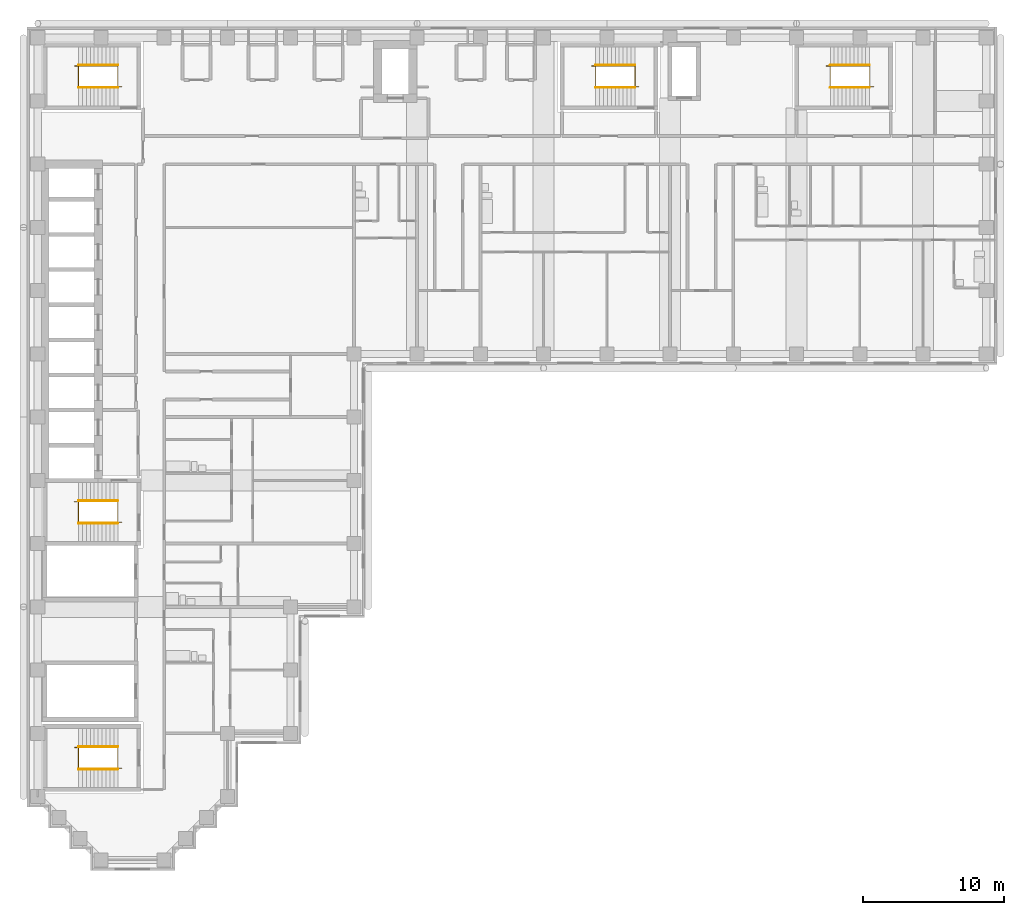
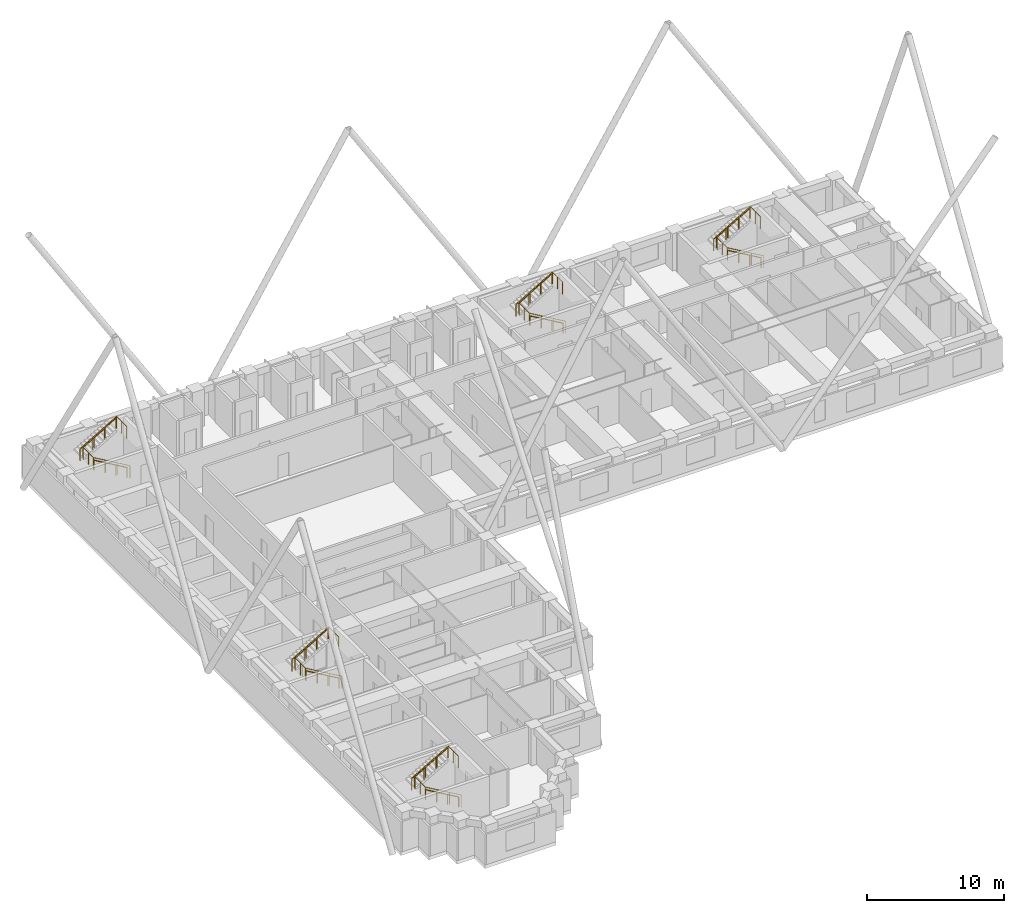
# One storey, part 12 of 13: 15 railings.
"""IFC4 building model written with IfcOpenShell, lengths in metres."""

from ifc_helpers import new_model, si_unit, direction, frame, origin, origin_2d, place, context, subcontext, project, spatial, circle, extrude, material, type_object, element, save


model = new_model("IFC4")

# Units and contexts
model_context = context("Model", 3, precision=1e-05, world=origin(), true_north=direction((0.0, 1.0)))
body_context = subcontext(model_context, "Body", "Model", "MODEL_VIEW")
ifc_project = project(units=[si_unit("LENGTHUNIT", "METRE"), si_unit("AREAUNIT", "SQUARE_METRE"), si_unit("VOLUMEUNIT", "CUBIC_METRE"), si_unit("PLANEANGLEUNIT", "RADIAN"), si_unit("MASSUNIT", "GRAM", prefix="KILO")], contexts=[model_context])

# Site, building, storey
site_placement = place(None, origin())
site = spatial("IfcSite", under=ifc_project, at=site_placement, CompositionType="ELEMENT")
building_placement = place(site_placement, origin())
building = spatial("IfcBuilding", under=site, at=building_placement, Name="Firuza Court", CompositionType="ELEMENT")
storey_placement = place(building_placement, frame((0.0, 0.0, 141.199951171875)))
storey = spatial("IfcBuildingStorey", under=building, at=storey_placement, Name="L35", CompositionType="ELEMENT", Elevation=141.199951171875)

# Railings
ifc_material_1 = material(Name="Steel S355", Category="steel")
railing_type_1 = type_object("IfcRailingType", Name="Handrail 900", PredefinedType="HANDRAIL", material=ifc_material_1)
railing_1_placement = place(storey_placement, frame((42.5, 54.949951171875, 0.16357421875)))
element("IfcRailing", 1, at=railing_1_placement, inside=storey, type_object=railing_type_1, Name="Handrail S1 flight 1", PredefinedType="HANDRAIL", context=body_context, shape_type="SweptSolid", body=[
    extrude(circle(Radius=0.02490234375, at=origin_2d()), frame((0.0, 0.0, 0.875), z_axis=(-0.863360870873, 0.0, 0.504586966384), x_axis=(0.0, -1.0, 0.0)), (0.0, 0.0, 1.0), 3.2431640625),
    extrude(circle(Radius=0.02001953125, at=origin_2d()), origin(), (0.0, 0.0, 1.0), 0.849853515625),
    extrude(circle(Radius=0.02001953125, at=origin_2d()), frame((-0.933349609375, 0.0, 0.54541015625)), (0.0, 0.0, 1.0), 0.849853515625),
    extrude(circle(Radius=0.02001953125, at=origin_2d()), frame((-1.86669921875, 0.0, 1.091064453125)), (0.0, 0.0, 1.0), 0.849853515625),
    extrude(circle(Radius=0.02001953125, at=origin_2d()), frame((-2.800048828125, 0.0, 1.636474609375)), (0.0, 0.0, 1.0), 0.849853515625),
])
railing_2_placement = place(storey_placement, frame((39.699951171875, 56.550048828125, 1.963623046875)))
element("IfcRailing", 2, at=railing_2_placement, inside=storey, type_object=railing_type_1, Name="Handrail S1 flight 2", PredefinedType="HANDRAIL", context=body_context, shape_type="SweptSolid", body=[
    extrude(circle(Radius=0.02490234375, at=origin_2d()), frame((0.0, 0.0, 0.875), z_axis=(0.863360870873, 0.0, 0.504586966384), x_axis=(0.0, 1.0, 0.0)), (0.0, 0.0, 1.0), 3.2431640625),
    extrude(circle(Radius=0.02001953125, at=origin_2d()), origin(), (0.0, 0.0, 1.0), 0.849853515625),
    extrude(circle(Radius=0.02001953125, at=origin_2d()), frame((0.933349609375, 0.0, 0.54541015625)), (0.0, 0.0, 1.0), 0.849853515625),
    extrude(circle(Radius=0.02001953125, at=origin_2d()), frame((1.86669921875, 0.0, 1.091064453125)), (0.0, 0.0, 1.0), 0.849853515625),
    extrude(circle(Radius=0.02001953125, at=origin_2d()), frame((2.800048828125, 0.0, 1.636474609375)), (0.0, 0.0, 1.0), 0.849853515625),
])
railing_3_placement = place(storey_placement, frame((5.699951171875, 23.949951171875, 0.16357421875)))
element("IfcRailing", 3, at=railing_3_placement, inside=storey, type_object=railing_type_1, Name="Handrail S2 flight 1", PredefinedType="HANDRAIL", context=body_context, shape_type="SweptSolid", body=[
    extrude(circle(Radius=0.02490234375, at=origin_2d()), frame((0.0, 0.0, 0.875), z_axis=(-0.863360870873, 0.0, 0.504586966384), x_axis=(0.0, -1.0, 0.0)), (0.0, 0.0, 1.0), 3.2431640625),
    extrude(circle(Radius=0.02001953125, at=origin_2d()), origin(), (0.0, 0.0, 1.0), 0.849853515625),
    extrude(circle(Radius=0.02001953125, at=origin_2d()), frame((-0.933349609375, 0.0, 0.54541015625)), (0.0, 0.0, 1.0), 0.849853515625),
    extrude(circle(Radius=0.02001953125, at=origin_2d()), frame((-1.86669921875, 0.0, 1.091064453125)), (0.0, 0.0, 1.0), 0.849853515625),
    extrude(circle(Radius=0.02001953125, at=origin_2d()), frame((-2.800048828125, 0.0, 1.636474609375)), (0.0, 0.0, 1.0), 0.849853515625),
])
railing_4_placement = place(storey_placement, frame((2.89990234375, 25.550048828125, 1.963623046875)))
element("IfcRailing", 4, at=railing_4_placement, inside=storey, type_object=railing_type_1, Name="Handrail S2 flight 2", PredefinedType="HANDRAIL", context=body_context, shape_type="SweptSolid", body=[
    extrude(circle(Radius=0.02490234375, at=origin_2d()), frame((0.0, 0.0, 0.875), z_axis=(0.863360870873, 0.0, 0.504586966384), x_axis=(0.0, 1.0, 0.0)), (0.0, 0.0, 1.0), 3.2431640625),
    extrude(circle(Radius=0.02001953125, at=origin_2d()), origin(), (0.0, 0.0, 1.0), 0.849853515625),
    extrude(circle(Radius=0.02001953125, at=origin_2d()), frame((0.933349609375, 0.0, 0.54541015625)), (0.0, 0.0, 1.0), 0.849853515625),
    extrude(circle(Radius=0.02001953125, at=origin_2d()), frame((1.86669921875, 0.0, 1.091064453125)), (0.0, 0.0, 1.0), 0.849853515625),
    extrude(circle(Radius=0.02001953125, at=origin_2d()), frame((2.800048828125, 0.0, 1.636474609375)), (0.0, 0.0, 1.0), 0.849853515625),
])
railing_5_placement = place(storey_placement, frame((5.699951171875, 54.949951171875, 0.16357421875)))
element("IfcRailing", 5, at=railing_5_placement, inside=storey, type_object=railing_type_1, Name="Handrail S3 flight 1", PredefinedType="HANDRAIL", context=body_context, shape_type="SweptSolid", body=[
    extrude(circle(Radius=0.02490234375, at=origin_2d()), frame((0.0, 0.0, 0.875), z_axis=(-0.863360870873, 0.0, 0.504586966384), x_axis=(0.0, -1.0, 0.0)), (0.0, 0.0, 1.0), 3.2431640625),
    extrude(circle(Radius=0.02001953125, at=origin_2d()), origin(), (0.0, 0.0, 1.0), 0.849853515625),
    extrude(circle(Radius=0.02001953125, at=origin_2d()), frame((-0.933349609375, 0.0, 0.54541015625)), (0.0, 0.0, 1.0), 0.849853515625),
    extrude(circle(Radius=0.02001953125, at=origin_2d()), frame((-1.86669921875, 0.0, 1.091064453125)), (0.0, 0.0, 1.0), 0.849853515625),
    extrude(circle(Radius=0.02001953125, at=origin_2d()), frame((-2.800048828125, 0.0, 1.636474609375)), (0.0, 0.0, 1.0), 0.849853515625),
])
railing_6_placement = place(storey_placement, frame((2.89990234375, 56.550048828125, 1.963623046875)))
element("IfcRailing", 6, at=railing_6_placement, inside=storey, type_object=railing_type_1, Name="Handrail S3 flight 2", PredefinedType="HANDRAIL", context=body_context, shape_type="SweptSolid", body=[
    extrude(circle(Radius=0.02490234375, at=origin_2d()), frame((0.0, 0.0, 0.875), z_axis=(0.863360870873, 0.0, 0.504586966384), x_axis=(0.0, 1.0, 0.0)), (0.0, 0.0, 1.0), 3.2431640625),
    extrude(circle(Radius=0.02001953125, at=origin_2d()), origin(), (0.0, 0.0, 1.0), 0.849853515625),
    extrude(circle(Radius=0.02001953125, at=origin_2d()), frame((0.933349609375, 0.0, 0.54541015625)), (0.0, 0.0, 1.0), 0.849853515625),
    extrude(circle(Radius=0.02001953125, at=origin_2d()), frame((1.86669921875, 0.0, 1.091064453125)), (0.0, 0.0, 1.0), 0.849853515625),
    extrude(circle(Radius=0.02001953125, at=origin_2d()), frame((2.800048828125, 0.0, 1.636474609375)), (0.0, 0.0, 1.0), 0.849853515625),
])
railing_7_placement = place(storey_placement, frame((59.199951171875, 54.949951171875, 0.16357421875)))
element("IfcRailing", 7, at=railing_7_placement, inside=storey, type_object=railing_type_1, Name="Handrail S4 flight 1", PredefinedType="HANDRAIL", context=body_context, shape_type="SweptSolid", body=[
    extrude(circle(Radius=0.02490234375, at=origin_2d()), frame((0.0, 0.0, 0.875), z_axis=(-0.863360870873, 0.0, 0.504586966384), x_axis=(0.0, -1.0, 0.0)), (0.0, 0.0, 1.0), 3.2431640625),
    extrude(circle(Radius=0.02001953125, at=origin_2d()), origin(), (0.0, 0.0, 1.0), 0.849853515625),
    extrude(circle(Radius=0.02001953125, at=origin_2d()), frame((-0.933349609375, 0.0, 0.54541015625)), (0.0, 0.0, 1.0), 0.849853515625),
    extrude(circle(Radius=0.02001953125, at=origin_2d()), frame((-1.86669921875, 0.0, 1.091064453125)), (0.0, 0.0, 1.0), 0.849853515625),
    extrude(circle(Radius=0.02001953125, at=origin_2d()), frame((-2.800048828125, 0.0, 1.636474609375)), (0.0, 0.0, 1.0), 0.849853515625),
])
railing_8_placement = place(storey_placement, frame((56.39990234375, 56.550048828125, 1.963623046875)))
element("IfcRailing", 8, at=railing_8_placement, inside=storey, type_object=railing_type_1, Name="Handrail S4 flight 2", PredefinedType="HANDRAIL", context=body_context, shape_type="SweptSolid", body=[
    extrude(circle(Radius=0.02490234375, at=origin_2d()), frame((0.0, 0.0, 0.875), z_axis=(0.863360870873, 0.0, 0.504586966384), x_axis=(0.0, 1.0, 0.0)), (0.0, 0.0, 1.0), 3.2431640625),
    extrude(circle(Radius=0.02001953125, at=origin_2d()), origin(), (0.0, 0.0, 1.0), 0.849853515625),
    extrude(circle(Radius=0.02001953125, at=origin_2d()), frame((0.933349609375, 0.0, 0.54541015625)), (0.0, 0.0, 1.0), 0.849853515625),
    extrude(circle(Radius=0.02001953125, at=origin_2d()), frame((1.86669921875, 0.0, 1.091064453125)), (0.0, 0.0, 1.0), 0.849853515625),
    extrude(circle(Radius=0.02001953125, at=origin_2d()), frame((2.800048828125, 0.0, 1.636474609375)), (0.0, 0.0, 1.0), 0.849853515625),
])
railing_9_placement = place(storey_placement, frame((5.699951171875, 6.449951171875, 0.16357421875)))
element("IfcRailing", 9, at=railing_9_placement, inside=storey, type_object=railing_type_1, Name="Handrail S5 flight 1", PredefinedType="HANDRAIL", context=body_context, shape_type="SweptSolid", body=[
    extrude(circle(Radius=0.02490234375, at=origin_2d()), frame((0.0, 0.0, 0.875), z_axis=(-0.863360870873, 0.0, 0.504586966384), x_axis=(0.0, -1.0, 0.0)), (0.0, 0.0, 1.0), 3.2431640625),
    extrude(circle(Radius=0.02001953125, at=origin_2d()), origin(), (0.0, 0.0, 1.0), 0.849853515625),
    extrude(circle(Radius=0.02001953125, at=origin_2d()), frame((-0.933349609375, 0.0, 0.54541015625)), (0.0, 0.0, 1.0), 0.849853515625),
    extrude(circle(Radius=0.02001953125, at=origin_2d()), frame((-1.86669921875, 0.0, 1.091064453125)), (0.0, 0.0, 1.0), 0.849853515625),
    extrude(circle(Radius=0.02001953125, at=origin_2d()), frame((-2.800048828125, 0.0, 1.636474609375)), (0.0, 0.0, 1.0), 0.849853515625),
])
railing_10_placement = place(storey_placement, frame((2.89990234375, 8.050048828125, 1.963623046875)))
element("IfcRailing", 10, at=railing_10_placement, inside=storey, type_object=railing_type_1, Name="Handrail S5 flight 2", PredefinedType="HANDRAIL", context=body_context, shape_type="SweptSolid", body=[
    extrude(circle(Radius=0.02490234375, at=origin_2d()), frame((0.0, 0.0, 0.875), z_axis=(0.863360870873, 0.0, 0.504586966384), x_axis=(0.0, 1.0, 0.0)), (0.0, 0.0, 1.0), 3.2431640625),
    extrude(circle(Radius=0.02001953125, at=origin_2d()), origin(), (0.0, 0.0, 1.0), 0.849853515625),
    extrude(circle(Radius=0.02001953125, at=origin_2d()), frame((0.933349609375, 0.0, 0.54541015625)), (0.0, 0.0, 1.0), 0.849853515625),
    extrude(circle(Radius=0.02001953125, at=origin_2d()), frame((1.86669921875, 0.0, 1.091064453125)), (0.0, 0.0, 1.0), 0.849853515625),
    extrude(circle(Radius=0.02001953125, at=origin_2d()), frame((2.800048828125, 0.0, 1.636474609375)), (0.0, 0.0, 1.0), 0.849853515625),
])
ifc_material_2 = material(Name="Steel S355", Category="steel")
railing_type_2 = type_object("IfcRailingType", Name="Stair guard 1100", PredefinedType="GUARDRAIL", material=ifc_material_2)
railing_11_placement = place(storey_placement, frame((42.780029296875, 55.010009765625, 0.0)))
element("IfcRailing", 11, at=railing_11_placement, inside=storey, type_object=railing_type_2, Name="Stair well guard S1", PredefinedType="GUARDRAIL", context=body_context, shape_type="SweptSolid", body=[
    extrude(circle(Radius=0.02490234375, at=origin_2d()), frame((0.0, 0.0, 1.0751953125), z_axis=(-0.863371556955, 0.0, 0.504568681787), x_axis=(0.0, -1.0, 0.0)), (0.0, 0.0, 1.0), 3.5673828125),
    extrude(circle(Radius=0.02490234375, at=origin_2d()), frame((-3.080078125, 0.0, 2.875), z_axis=(0.0, 1.0, 0.0), x_axis=(-1.0, 0.0, 0.0)), (0.0, 0.0, 1.0), 1.47998046875),
    extrude(circle(Radius=0.02490234375, at=origin_2d()), frame((-3.080078125, 1.47998046875, 2.875), z_axis=(-1.0, 0.0, 0.0), x_axis=(0.0, -1.0, 0.0)), (0.0, 0.0, 1.0), 0.280029296875),
    extrude(circle(Radius=0.02490234375, at=origin_2d()), frame((-3.360107421875, 1.47998046875, 2.875), z_axis=(0.863371556955, 0.0, 0.504568681787), x_axis=(0.0, 1.0, 0.0)), (0.0, 0.0, 1.0), 3.5673828125),
    extrude(circle(Radius=0.02490234375, at=origin_2d()), frame((-0.280029296875, 1.47998046875, 4.67529296875), z_axis=(0.0, -1.0, 0.0), x_axis=(1.0, 0.0, 0.0)), (0.0, 0.0, 1.0), 1.47998046875),
    extrude(circle(Radius=0.02490234375, at=origin_2d()), origin(), (0.0, 0.0, 1.0), 1.050048828125),
    extrude(circle(Radius=0.02490234375, at=origin_2d()), frame((-1.026611328125, 0.0, 0.60009765625)), (0.0, 0.0, 1.0), 1.050048828125),
    extrude(circle(Radius=0.02490234375, at=origin_2d()), frame((-2.053466796875, 0.0, 1.199951171875)), (0.0, 0.0, 1.0), 1.050048828125),
    extrude(circle(Radius=0.02490234375, at=origin_2d()), frame((-3.080078125, 0.0, 1.800048828125)), (0.0, 0.0, 1.0), 1.050048828125),
    extrude(circle(Radius=0.02490234375, at=origin_2d()), frame((-3.080078125, 0.739990234375, 1.800048828125)), (0.0, 0.0, 1.0), 1.050048828125),
    extrude(circle(Radius=0.02490234375, at=origin_2d()), frame((-3.080078125, 1.47998046875, 1.800048828125)), (0.0, 0.0, 1.0), 1.050048828125),
    extrude(circle(Radius=0.02490234375, at=origin_2d()), frame((-3.360107421875, 1.47998046875, 1.800048828125)), (0.0, 0.0, 1.0), 1.050048828125),
    extrude(circle(Radius=0.02490234375, at=origin_2d()), frame((-2.33349609375, 1.47998046875, 2.400146484375)), (0.0, 0.0, 1.0), 1.050048828125),
    extrude(circle(Radius=0.02490234375, at=origin_2d()), frame((-1.306640625, 1.47998046875, 3.0)), (0.0, 0.0, 1.0), 1.050048828125),
    extrude(circle(Radius=0.02490234375, at=origin_2d()), frame((-0.280029296875, 1.47998046875, 3.60009765625)), (0.0, 0.0, 1.0), 1.050048828125),
    extrude(circle(Radius=0.02490234375, at=origin_2d()), frame((-0.280029296875, 0.739990234375, 3.60009765625)), (0.0, 0.0, 1.0), 1.050048828125),
    extrude(circle(Radius=0.02490234375, at=origin_2d()), frame((-0.280029296875, 0.0, 3.60009765625)), (0.0, 0.0, 1.0), 1.050048828125),
])
railing_12_placement = place(storey_placement, frame((5.97998046875, 24.010009765625, 0.0)))
element("IfcRailing", 12, at=railing_12_placement, inside=storey, type_object=railing_type_2, Name="Stair well guard S2", PredefinedType="GUARDRAIL", context=body_context, shape_type="SweptSolid", body=[
    extrude(circle(Radius=0.02490234375, at=origin_2d()), frame((0.0, 0.0, 1.0751953125), z_axis=(-0.863371556955, 0.0, 0.504568681787), x_axis=(0.0, -1.0, 0.0)), (0.0, 0.0, 1.0), 3.5673828125),
    extrude(circle(Radius=0.02490234375, at=origin_2d()), frame((-3.080078125, 0.0, 2.875), z_axis=(0.0, 1.0, 0.0), x_axis=(-1.0, 0.0, 0.0)), (0.0, 0.0, 1.0), 1.47998046875),
    extrude(circle(Radius=0.02490234375, at=origin_2d()), frame((-3.080078125, 1.47998046875, 2.875), z_axis=(-1.0, 0.0, 0.0), x_axis=(0.0, -1.0, 0.0)), (0.0, 0.0, 1.0), 0.27978515625),
    extrude(circle(Radius=0.02490234375, at=origin_2d()), frame((-3.35986328125, 1.47998046875, 2.875), z_axis=(0.863354132664, 0.0, 0.504598495452), x_axis=(0.0, 1.0, 0.0)), (0.0, 0.0, 1.0), 3.5673828125),
    extrude(circle(Radius=0.02490234375, at=origin_2d()), frame((-0.280029296875, 1.47998046875, 4.67529296875), z_axis=(0.0, -1.0, 0.0), x_axis=(1.0, 0.0, 0.0)), (0.0, 0.0, 1.0), 1.47998046875),
    extrude(circle(Radius=0.02490234375, at=origin_2d()), origin(), (0.0, 0.0, 1.0), 1.050048828125),
    extrude(circle(Radius=0.02490234375, at=origin_2d()), frame((-1.026611328125, 0.0, 0.60009765625)), (0.0, 0.0, 1.0), 1.050048828125),
    extrude(circle(Radius=0.02490234375, at=origin_2d()), frame((-2.053466796875, 0.0, 1.199951171875)), (0.0, 0.0, 1.0), 1.050048828125),
    extrude(circle(Radius=0.02490234375, at=origin_2d()), frame((-3.080078125, 0.0, 1.800048828125)), (0.0, 0.0, 1.0), 1.050048828125),
    extrude(circle(Radius=0.02490234375, at=origin_2d()), frame((-3.080078125, 0.739990234375, 1.800048828125)), (0.0, 0.0, 1.0), 1.050048828125),
    extrude(circle(Radius=0.02490234375, at=origin_2d()), frame((-3.080078125, 1.47998046875, 1.800048828125)), (0.0, 0.0, 1.0), 1.050048828125),
    extrude(circle(Radius=0.02490234375, at=origin_2d()), frame((-3.35986328125, 1.47998046875, 1.800048828125)), (0.0, 0.0, 1.0), 1.050048828125),
    extrude(circle(Radius=0.02490234375, at=origin_2d()), frame((-2.333251953125, 1.47998046875, 2.400146484375)), (0.0, 0.0, 1.0), 1.050048828125),
    extrude(circle(Radius=0.02490234375, at=origin_2d()), frame((-1.306640625, 1.47998046875, 3.0)), (0.0, 0.0, 1.0), 1.050048828125),
    extrude(circle(Radius=0.02490234375, at=origin_2d()), frame((-0.280029296875, 1.47998046875, 3.60009765625)), (0.0, 0.0, 1.0), 1.050048828125),
    extrude(circle(Radius=0.02490234375, at=origin_2d()), frame((-0.280029296875, 0.739990234375, 3.60009765625)), (0.0, 0.0, 1.0), 1.050048828125),
    extrude(circle(Radius=0.02490234375, at=origin_2d()), frame((-0.280029296875, 0.0, 3.60009765625)), (0.0, 0.0, 1.0), 1.050048828125),
])
railing_13_placement = place(storey_placement, frame((5.97998046875, 55.010009765625, 0.0)))
element("IfcRailing", 13, at=railing_13_placement, inside=storey, type_object=railing_type_2, Name="Stair well guard S3", PredefinedType="GUARDRAIL", context=body_context, shape_type="SweptSolid", body=[
    extrude(circle(Radius=0.02490234375, at=origin_2d()), frame((0.0, 0.0, 1.0751953125), z_axis=(-0.863371556955, 0.0, 0.504568681787), x_axis=(0.0, -1.0, 0.0)), (0.0, 0.0, 1.0), 3.5673828125),
    extrude(circle(Radius=0.02490234375, at=origin_2d()), frame((-3.080078125, 0.0, 2.875), z_axis=(0.0, 1.0, 0.0), x_axis=(-1.0, 0.0, 0.0)), (0.0, 0.0, 1.0), 1.47998046875),
    extrude(circle(Radius=0.02490234375, at=origin_2d()), frame((-3.080078125, 1.47998046875, 2.875), z_axis=(-1.0, 0.0, 0.0), x_axis=(0.0, -1.0, 0.0)), (0.0, 0.0, 1.0), 0.27978515625),
    extrude(circle(Radius=0.02490234375, at=origin_2d()), frame((-3.35986328125, 1.47998046875, 2.875), z_axis=(0.863354132664, 0.0, 0.504598495452), x_axis=(0.0, 1.0, 0.0)), (0.0, 0.0, 1.0), 3.5673828125),
    extrude(circle(Radius=0.02490234375, at=origin_2d()), frame((-0.280029296875, 1.47998046875, 4.67529296875), z_axis=(0.0, -1.0, 0.0), x_axis=(1.0, 0.0, 0.0)), (0.0, 0.0, 1.0), 1.47998046875),
    extrude(circle(Radius=0.02490234375, at=origin_2d()), origin(), (0.0, 0.0, 1.0), 1.050048828125),
    extrude(circle(Radius=0.02490234375, at=origin_2d()), frame((-1.026611328125, 0.0, 0.60009765625)), (0.0, 0.0, 1.0), 1.050048828125),
    extrude(circle(Radius=0.02490234375, at=origin_2d()), frame((-2.053466796875, 0.0, 1.199951171875)), (0.0, 0.0, 1.0), 1.050048828125),
    extrude(circle(Radius=0.02490234375, at=origin_2d()), frame((-3.080078125, 0.0, 1.800048828125)), (0.0, 0.0, 1.0), 1.050048828125),
    extrude(circle(Radius=0.02490234375, at=origin_2d()), frame((-3.080078125, 0.739990234375, 1.800048828125)), (0.0, 0.0, 1.0), 1.050048828125),
    extrude(circle(Radius=0.02490234375, at=origin_2d()), frame((-3.080078125, 1.47998046875, 1.800048828125)), (0.0, 0.0, 1.0), 1.050048828125),
    extrude(circle(Radius=0.02490234375, at=origin_2d()), frame((-3.35986328125, 1.47998046875, 1.800048828125)), (0.0, 0.0, 1.0), 1.050048828125),
    extrude(circle(Radius=0.02490234375, at=origin_2d()), frame((-2.333251953125, 1.47998046875, 2.400146484375)), (0.0, 0.0, 1.0), 1.050048828125),
    extrude(circle(Radius=0.02490234375, at=origin_2d()), frame((-1.306640625, 1.47998046875, 3.0)), (0.0, 0.0, 1.0), 1.050048828125),
    extrude(circle(Radius=0.02490234375, at=origin_2d()), frame((-0.280029296875, 1.47998046875, 3.60009765625)), (0.0, 0.0, 1.0), 1.050048828125),
    extrude(circle(Radius=0.02490234375, at=origin_2d()), frame((-0.280029296875, 0.739990234375, 3.60009765625)), (0.0, 0.0, 1.0), 1.050048828125),
    extrude(circle(Radius=0.02490234375, at=origin_2d()), frame((-0.280029296875, 0.0, 3.60009765625)), (0.0, 0.0, 1.0), 1.050048828125),
])
railing_14_placement = place(storey_placement, frame((59.47998046875, 55.010009765625, 0.0)))
element("IfcRailing", 14, at=railing_14_placement, inside=storey, type_object=railing_type_2, Name="Stair well guard S4", PredefinedType="GUARDRAIL", context=body_context, shape_type="SweptSolid", body=[
    extrude(circle(Radius=0.02490234375, at=origin_2d()), frame((0.0, 0.0, 1.0751953125), z_axis=(-0.863371556955, 0.0, 0.504568681787), x_axis=(0.0, -1.0, 0.0)), (0.0, 0.0, 1.0), 3.5673828125),
    extrude(circle(Radius=0.02490234375, at=origin_2d()), frame((-3.080078125, 0.0, 2.875), z_axis=(0.0, 1.0, 0.0), x_axis=(-1.0, 0.0, 0.0)), (0.0, 0.0, 1.0), 1.47998046875),
    extrude(circle(Radius=0.02490234375, at=origin_2d()), frame((-3.080078125, 1.47998046875, 2.875), z_axis=(-1.0, 0.0, 0.0), x_axis=(0.0, -1.0, 0.0)), (0.0, 0.0, 1.0), 0.27978515625),
    extrude(circle(Radius=0.02490234375, at=origin_2d()), frame((-3.35986328125, 1.47998046875, 2.875), z_axis=(0.863354132664, 0.0, 0.504598495452), x_axis=(0.0, 1.0, 0.0)), (0.0, 0.0, 1.0), 3.5673828125),
    extrude(circle(Radius=0.02490234375, at=origin_2d()), frame((-0.280029296875, 1.47998046875, 4.67529296875), z_axis=(0.0, -1.0, 0.0), x_axis=(1.0, 0.0, 0.0)), (0.0, 0.0, 1.0), 1.47998046875),
    extrude(circle(Radius=0.02490234375, at=origin_2d()), origin(), (0.0, 0.0, 1.0), 1.050048828125),
    extrude(circle(Radius=0.02490234375, at=origin_2d()), frame((-1.026611328125, 0.0, 0.60009765625)), (0.0, 0.0, 1.0), 1.050048828125),
    extrude(circle(Radius=0.02490234375, at=origin_2d()), frame((-2.053466796875, 0.0, 1.199951171875)), (0.0, 0.0, 1.0), 1.050048828125),
    extrude(circle(Radius=0.02490234375, at=origin_2d()), frame((-3.080078125, 0.0, 1.800048828125)), (0.0, 0.0, 1.0), 1.050048828125),
    extrude(circle(Radius=0.02490234375, at=origin_2d()), frame((-3.080078125, 0.739990234375, 1.800048828125)), (0.0, 0.0, 1.0), 1.050048828125),
    extrude(circle(Radius=0.02490234375, at=origin_2d()), frame((-3.080078125, 1.47998046875, 1.800048828125)), (0.0, 0.0, 1.0), 1.050048828125),
    extrude(circle(Radius=0.02490234375, at=origin_2d()), frame((-3.35986328125, 1.47998046875, 1.800048828125)), (0.0, 0.0, 1.0), 1.050048828125),
    extrude(circle(Radius=0.02490234375, at=origin_2d()), frame((-2.333251953125, 1.47998046875, 2.400146484375)), (0.0, 0.0, 1.0), 1.050048828125),
    extrude(circle(Radius=0.02490234375, at=origin_2d()), frame((-1.306640625, 1.47998046875, 3.0)), (0.0, 0.0, 1.0), 1.050048828125),
    extrude(circle(Radius=0.02490234375, at=origin_2d()), frame((-0.280029296875, 1.47998046875, 3.60009765625)), (0.0, 0.0, 1.0), 1.050048828125),
    extrude(circle(Radius=0.02490234375, at=origin_2d()), frame((-0.280029296875, 0.739990234375, 3.60009765625)), (0.0, 0.0, 1.0), 1.050048828125),
    extrude(circle(Radius=0.02490234375, at=origin_2d()), frame((-0.280029296875, 0.0, 3.60009765625)), (0.0, 0.0, 1.0), 1.050048828125),
])
railing_15_placement = place(storey_placement, frame((5.97998046875, 6.510009765625, 0.0)))
element("IfcRailing", 15, at=railing_15_placement, inside=storey, type_object=railing_type_2, Name="Stair well guard S5", PredefinedType="GUARDRAIL", context=body_context, shape_type="SweptSolid", body=[
    extrude(circle(Radius=0.02490234375, at=origin_2d()), frame((0.0, 0.0, 1.0751953125), z_axis=(-0.863371556955, 0.0, 0.504568681787), x_axis=(0.0, -1.0, 0.0)), (0.0, 0.0, 1.0), 3.5673828125),
    extrude(circle(Radius=0.02490234375, at=origin_2d()), frame((-3.080078125, 0.0, 2.875), z_axis=(0.0, 1.0, 0.0), x_axis=(-1.0, 0.0, 0.0)), (0.0, 0.0, 1.0), 1.47998046875),
    extrude(circle(Radius=0.02490234375, at=origin_2d()), frame((-3.080078125, 1.47998046875, 2.875), z_axis=(-1.0, 0.0, 0.0), x_axis=(0.0, -1.0, 0.0)), (0.0, 0.0, 1.0), 0.27978515625),
    extrude(circle(Radius=0.02490234375, at=origin_2d()), frame((-3.35986328125, 1.47998046875, 2.875), z_axis=(0.863354132664, 0.0, 0.504598495452), x_axis=(0.0, 1.0, 0.0)), (0.0, 0.0, 1.0), 3.5673828125),
    extrude(circle(Radius=0.02490234375, at=origin_2d()), frame((-0.280029296875, 1.47998046875, 4.67529296875), z_axis=(0.0, -1.0, 0.0), x_axis=(1.0, 0.0, 0.0)), (0.0, 0.0, 1.0), 1.47998046875),
    extrude(circle(Radius=0.02490234375, at=origin_2d()), origin(), (0.0, 0.0, 1.0), 1.050048828125),
    extrude(circle(Radius=0.02490234375, at=origin_2d()), frame((-1.026611328125, 0.0, 0.60009765625)), (0.0, 0.0, 1.0), 1.050048828125),
    extrude(circle(Radius=0.02490234375, at=origin_2d()), frame((-2.053466796875, 0.0, 1.199951171875)), (0.0, 0.0, 1.0), 1.050048828125),
    extrude(circle(Radius=0.02490234375, at=origin_2d()), frame((-3.080078125, 0.0, 1.800048828125)), (0.0, 0.0, 1.0), 1.050048828125),
    extrude(circle(Radius=0.02490234375, at=origin_2d()), frame((-3.080078125, 0.739990234375, 1.800048828125)), (0.0, 0.0, 1.0), 1.050048828125),
    extrude(circle(Radius=0.02490234375, at=origin_2d()), frame((-3.080078125, 1.47998046875, 1.800048828125)), (0.0, 0.0, 1.0), 1.050048828125),
    extrude(circle(Radius=0.02490234375, at=origin_2d()), frame((-3.35986328125, 1.47998046875, 1.800048828125)), (0.0, 0.0, 1.0), 1.050048828125),
    extrude(circle(Radius=0.02490234375, at=origin_2d()), frame((-2.333251953125, 1.47998046875, 2.400146484375)), (0.0, 0.0, 1.0), 1.050048828125),
    extrude(circle(Radius=0.02490234375, at=origin_2d()), frame((-1.306640625, 1.47998046875, 3.0)), (0.0, 0.0, 1.0), 1.050048828125),
    extrude(circle(Radius=0.02490234375, at=origin_2d()), frame((-0.280029296875, 1.47998046875, 3.60009765625)), (0.0, 0.0, 1.0), 1.050048828125),
    extrude(circle(Radius=0.02490234375, at=origin_2d()), frame((-0.280029296875, 0.739990234375, 3.60009765625)), (0.0, 0.0, 1.0), 1.050048828125),
    extrude(circle(Radius=0.02490234375, at=origin_2d()), frame((-0.280029296875, 0.0, 3.60009765625)), (0.0, 0.0, 1.0), 1.050048828125),
])

save(model, "model.ifc")
